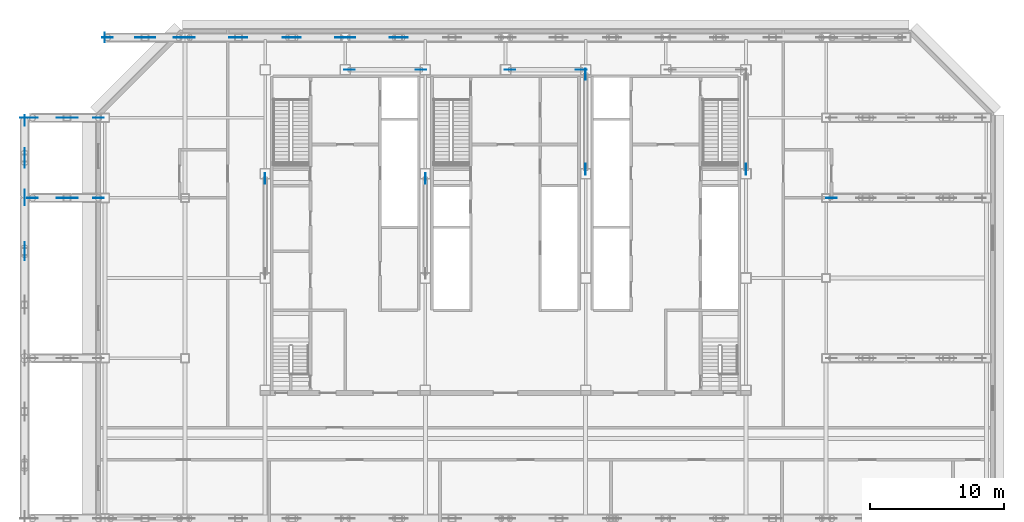
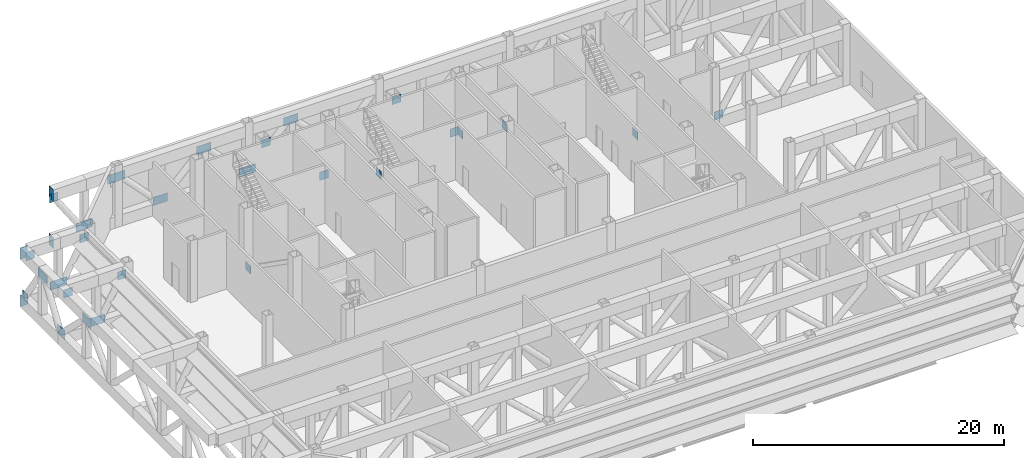
# One storey, part 13 of 17: 31 discrete accessories.
"""IFC4 building model written with IfcOpenShell, lengths in metres."""

from ifc_helpers import new_model, si_unit, direction, frame, origin, origin_2d, place, context, subcontext, project, spatial, rectangle, extrude, material, layer, layer_set, type_object, element, save


model = new_model("IFC4")

# Units and contexts
model_context = context("Model", 3, precision=1e-05, world=origin(), true_north=direction((0.0, 1.0)))
body_context = subcontext(model_context, "Body", "Model", "MODEL_VIEW")
ifc_project = project(units=[si_unit("LENGTHUNIT", "METRE"), si_unit("AREAUNIT", "SQUARE_METRE"), si_unit("VOLUMEUNIT", "CUBIC_METRE"), si_unit("PLANEANGLEUNIT", "RADIAN"), si_unit("MASSUNIT", "GRAM", prefix="KILO")], contexts=[model_context])

# Site, building, storey
site_placement = place(None, origin())
site = spatial("IfcSite", under=ifc_project, at=site_placement, CompositionType="ELEMENT")
building_placement = place(site_placement, origin())
building = spatial("IfcBuilding", under=site, at=building_placement, Name="Sorahane Residences", CompositionType="ELEMENT")
storey_placement = place(building_placement, frame((0.0, 0.0, 186.0)))
storey = spatial("IfcBuildingStorey", under=building, at=storey_placement, Name="L43", CompositionType="ELEMENT", Elevation=186.0)

# Discrete accessories
ifc_material_1 = material(Name="Steel Q420GJ", Category="steel")
ifc_layer_1 = layer(ifc_material_1, 0.02001953125)
ifc_layer_set_1 = layer_set([ifc_layer_1], Name="End plate Steel Q420GJ 700x1100x20")
discrete_accessory_type_1 = type_object("IfcDiscreteAccessoryType", Name="End plate Steel Q420GJ 700x1100x20", PredefinedType="USERDEFINED", material=ifc_layer_set_1)
for number, where, z_axis, x_axis, name in (
    (1, (-6.010009765625, 48.0, 0.0), (0.0, 0.0, 1.0), (1.0, 0.0, 0.0), "End plate L43"),
    (2, (-6.010009765625, 48.0, 4.599853515625), (0.0, 0.0, 1.0), (1.0, 0.0, 0.0), "End plate L43"),
    (3, (-12.0, 42.010009765625, 0.0), (0.0, 0.0, 1.0), (0.0, 1.0, 0.0), "End plate L43"),
    (4, (-12.0, 42.010009765625, 4.599853515625), (0.0, 0.0, 1.0), (0.0, 1.0, 0.0), "End plate L43"),
):
    element("IfcDiscreteAccessory", number, at=place(storey_placement, frame(where, z_axis=z_axis, x_axis=x_axis)), inside=storey, type_object=discrete_accessory_type_1, Name=name, ObjectType="END PLATE", PredefinedType="USERDEFINED", context=body_context, shape_type="SweptSolid", body=[
        extrude(rectangle(XDim=0.02001953125, YDim=0.699951171875, at=origin_2d()), origin(), (0.0, 0.0, 1.0), 1.10009765625),
    ])
ifc_material_2 = material(Name="Steel Q355B", Category="steel")
ifc_layer_2 = layer(ifc_material_2, 0.02490234375)
ifc_layer_set_2 = layer_set([ifc_layer_2], Name="Node plate Steel Q355B 25")
discrete_accessory_type_2 = type_object("IfcDiscreteAccessoryType", Name="Node plate Steel Q355B 25", PredefinedType="BRACKET", material=ifc_layer_set_2)
for number, where, z_axis, x_axis, name in (
    (5, (6.0, 37.460205078125, -0.26708984375), (0.0, 0.0, 1.0), (0.0, 1.0, 0.0), "Node plate L43 br"),
    (6, (18.0, 37.460205078125, 4.71728515625), (0.0, 0.0, 1.0), (0.0, 1.0, 0.0), "Node plate L43 br"),
    (7, (30.0, 45.26025390625, -0.26708984375), (0.0, 0.0, 1.0), (0.0, 1.0, 0.0), "Node plate L43 br"),
    (8, (30.0, 38.139892578125, 4.71728515625), (0.0, 0.0, 1.0), (0.0, 1.0, 0.0), "Node plate L43 br"),
    (9, (42.0, 38.139892578125, -0.26708984375), (0.0, 0.0, 1.0), (0.0, 1.0, 0.0), "Node plate L43 br"),
    (10, (17.672119140625, 45.60009765625, -0.29296875), (0.0, 0.0, 1.0), (1.0, 0.0, 0.0), "Node plate L43 br"),
    (11, (29.672119140625, 45.60009765625, -0.29296875), (0.0, 0.0, 1.0), (1.0, 0.0, 0.0), "Node plate L43 br"),
    (12, (12.327880859375, 45.60009765625, 4.74267578125), (0.0, 0.0, 1.0), (1.0, 0.0, 0.0), "Node plate L43 br"),
    (13, (24.327880859375, 45.60009765625, 4.74267578125), (0.0, 0.0, 1.0), (1.0, 0.0, 0.0), "Node plate L43 br"),
):
    element("IfcDiscreteAccessory", number, at=place(storey_placement, frame(where, z_axis=z_axis, x_axis=x_axis)), inside=storey, type_object=discrete_accessory_type_2, Name=name, PredefinedType="BRACKET", context=body_context, shape_type="SweptSolid", body=[
        extrude(rectangle(XDim=0.800048828125, YDim=0.02490234375, at=origin_2d()), origin(), (0.0, 0.0, 1.0), 0.800048828125),
    ])
ifc_material_3 = material(Name="Steel Q420GJ", Category="steel")
ifc_layer_3 = layer(ifc_material_3, 0.02490234375)
ifc_layer_set_3 = layer_set([ifc_layer_3], Name="Node plate Steel Q420GJ 25")
discrete_accessory_type_3 = type_object("IfcDiscreteAccessoryType", Name="Node plate Steel Q420GJ 25", PredefinedType="BRACKET", material=ifc_layer_set_3)
discrete_accessory_1_placement = place(storey_placement, frame((-12.0, 36.02880859375, 0.618408203125), z_axis=(0.0, 0.0, 1.0), x_axis=(0.0, 1.0, 0.0)))
element("IfcDiscreteAccessory", 14, at=discrete_accessory_1_placement, inside=storey, type_object=discrete_accessory_type_3, Name="Node plate L43 tr", PredefinedType="BRACKET", context=body_context, shape_type="SweptSolid", body=[
    extrude(rectangle(XDim=1.1572265625, YDim=0.02490234375, at=origin_2d()), origin(), (0.0, 0.0, 1.0), 0.890625),
])
discrete_accessory_2_placement = place(storey_placement, frame((-12.0, 41.792724609375, 0.61865234375), z_axis=(0.0, 0.0, 1.0), x_axis=(0.0, 1.0, 0.0)))
element("IfcDiscreteAccessory", 15, at=discrete_accessory_2_placement, inside=storey, type_object=discrete_accessory_type_3, Name="Node plate L43 tr", PredefinedType="BRACKET", context=body_context, shape_type="SweptSolid", body=[
    extrude(rectangle(XDim=0.800048828125, YDim=0.02490234375, at=origin_2d()), origin(), (0.0, 0.0, 1.0), 0.800048828125),
])
discrete_accessory_3_placement = place(storey_placement, frame((-12.0, 32.0, 4.19091796875), z_axis=(0.0, 0.0, 1.0), x_axis=(0.0, 1.0, 0.0)))
element("IfcDiscreteAccessory", 16, at=discrete_accessory_3_placement, inside=storey, type_object=discrete_accessory_type_3, Name="Node plate L43 tr", PredefinedType="BRACKET", context=body_context, shape_type="SweptSolid", body=[
    extrude(rectangle(XDim=1.35009765625, YDim=0.02490234375, at=origin_2d()), origin(), (0.0, 0.0, 1.0), 0.8154296875),
])
discrete_accessory_4_placement = place(storey_placement, frame((-12.0, 39.0, 4.28125), z_axis=(0.0, 0.0, 1.0), x_axis=(0.0, 1.0, 0.0)))
element("IfcDiscreteAccessory", 17, at=discrete_accessory_4_placement, inside=storey, type_object=discrete_accessory_type_3, Name="Node plate L43 tr", PredefinedType="BRACKET", context=body_context, shape_type="SweptSolid", body=[
    extrude(rectangle(XDim=1.464599609375, YDim=0.02490234375, at=origin_2d()), origin(), (0.0, 0.0, 1.0), 0.800048828125),
])
discrete_accessory_5_placement = place(storey_placement, frame((-8.81005859375, 36.0, 0.6220703125), z_axis=(0.0, 0.0, 1.0), x_axis=(1.0, 0.0, 0.0)))
element("IfcDiscreteAccessory", 18, at=discrete_accessory_5_placement, inside=storey, type_object=discrete_accessory_type_3, Name="Node plate L43 tr", PredefinedType="BRACKET", context=body_context, shape_type="SweptSolid", body=[
    extrude(rectangle(XDim=1.548583984375, YDim=0.02490234375, at=origin_2d()), origin(), (0.0, 0.0, 1.0), 0.8046875),
])
for number, where, z_axis, x_axis, name in (
    (19, (48.409423828125, 36.0, 0.6220703125), (0.0, 0.0, 1.0), (1.0, 0.0, 0.0), "Node plate L43 tr"),
    (20, (-11.41552734375, 36.0, 4.27783203125), (0.0, 0.0, 1.0), (1.0, 0.0, 0.0), "Node plate L43 tr"),
    (21, (-6.464111328125, 36.0, 4.27294921875), (0.0, 0.0, 1.0), (1.0, 0.0, 0.0), "Node plate L43 tr"),
):
    element("IfcDiscreteAccessory", number, at=place(storey_placement, frame(where, z_axis=z_axis, x_axis=x_axis)), inside=storey, type_object=discrete_accessory_type_3, Name=name, PredefinedType="BRACKET", context=body_context, shape_type="SweptSolid", body=[
        extrude(rectangle(XDim=0.800048828125, YDim=0.02490234375, at=origin_2d()), origin(), (0.0, 0.0, 1.0), 0.800048828125),
    ])
discrete_accessory_6_placement = place(storey_placement, frame((-8.81005859375, 42.0, 0.6220703125), z_axis=(0.0, 0.0, 1.0), x_axis=(1.0, 0.0, 0.0)))
element("IfcDiscreteAccessory", 22, at=discrete_accessory_6_placement, inside=storey, type_object=discrete_accessory_type_3, Name="Node plate L43 tr", PredefinedType="BRACKET", context=body_context, shape_type="SweptSolid", body=[
    extrude(rectangle(XDim=1.548583984375, YDim=0.02490234375, at=origin_2d()), origin(), (0.0, 0.0, 1.0), 0.8046875),
])
for number, where, z_axis, x_axis, name in (
    (23, (-11.41552734375, 42.0, 4.27783203125), (0.0, 0.0, 1.0), (1.0, 0.0, 0.0), "Node plate L43 tr"),
    (24, (-6.464111328125, 42.0, 4.27294921875), (0.0, 0.0, 1.0), (1.0, 0.0, 0.0), "Node plate L43 tr"),
):
    element("IfcDiscreteAccessory", number, at=place(storey_placement, frame(where, z_axis=z_axis, x_axis=x_axis)), inside=storey, type_object=discrete_accessory_type_3, Name=name, PredefinedType="BRACKET", context=body_context, shape_type="SweptSolid", body=[
        extrude(rectangle(XDim=0.800048828125, YDim=0.02490234375, at=origin_2d()), origin(), (0.0, 0.0, 1.0), 0.800048828125),
    ])
discrete_accessory_7_placement = place(storey_placement, frame((-2.984619140625, 48.0, 0.61865234375), z_axis=(0.0, 0.0, 1.0), x_axis=(1.0, 0.0, 0.0)))
element("IfcDiscreteAccessory", 25, at=discrete_accessory_7_placement, inside=storey, type_object=discrete_accessory_type_3, Name="Node plate L43 tr", PredefinedType="BRACKET", context=body_context, shape_type="SweptSolid", body=[
    extrude(rectangle(XDim=1.49560546875, YDim=0.02490234375, at=origin_2d()), origin(), (0.0, 0.0, 1.0), 0.80419921875),
])
discrete_accessory_8_placement = place(storey_placement, frame((4.0, 48.0, 0.68359375), z_axis=(0.0, 0.0, 1.0), x_axis=(1.0, 0.0, 0.0)))
element("IfcDiscreteAccessory", 26, at=discrete_accessory_8_placement, inside=storey, type_object=discrete_accessory_type_3, Name="Node plate L43 tr", PredefinedType="BRACKET", context=body_context, shape_type="SweptSolid", body=[
    extrude(rectangle(XDim=1.35009765625, YDim=0.02490234375, at=origin_2d()), origin(), (0.0, 0.0, 1.0), 0.81005859375),
])
discrete_accessory_9_placement = place(storey_placement, frame((12.0, 48.0, 0.68359375), z_axis=(0.0, 0.0, 1.0), x_axis=(1.0, 0.0, 0.0)))
element("IfcDiscreteAccessory", 27, at=discrete_accessory_9_placement, inside=storey, type_object=discrete_accessory_type_3, Name="Node plate L43 tr", PredefinedType="BRACKET", context=body_context, shape_type="SweptSolid", body=[
    extrude(rectangle(XDim=1.5, YDim=0.02490234375, at=origin_2d()), origin(), (0.0, 0.0, 1.0), 0.800048828125),
])
discrete_accessory_10_placement = place(storey_placement, frame((-5.792724609375, 48.0, 4.28125), z_axis=(0.0, 0.0, 1.0), x_axis=(1.0, 0.0, 0.0)))
element("IfcDiscreteAccessory", 28, at=discrete_accessory_10_placement, inside=storey, type_object=discrete_accessory_type_3, Name="Node plate L43 tr", PredefinedType="BRACKET", context=body_context, shape_type="SweptSolid", body=[
    extrude(rectangle(XDim=0.800048828125, YDim=0.02490234375, at=origin_2d()), origin(), (0.0, 0.0, 1.0), 0.800048828125),
])
discrete_accessory_11_placement = place(storey_placement, frame((-0.044189453125, 48.0, 4.21630859375), z_axis=(0.0, 0.0, 1.0), x_axis=(1.0, 0.0, 0.0)))
element("IfcDiscreteAccessory", 29, at=discrete_accessory_11_placement, inside=storey, type_object=discrete_accessory_type_3, Name="Node plate L43 tr", PredefinedType="BRACKET", context=body_context, shape_type="SweptSolid", body=[
    extrude(rectangle(XDim=1.588134765625, YDim=0.02490234375, at=origin_2d()), origin(), (0.0, 0.0, 1.0), 0.86083984375),
])
for number, where, z_axis, x_axis, name in (
    (30, (8.0, 48.0, 4.206298828125), (0.0, 0.0, 1.0), (1.0, 0.0, 0.0), "Node plate L43 tr"),
    (31, (16.0, 48.0, 4.206298828125), (0.0, 0.0, 1.0), (1.0, 0.0, 0.0), "Node plate L43 tr"),
):
    element("IfcDiscreteAccessory", number, at=place(storey_placement, frame(where, z_axis=z_axis, x_axis=x_axis)), inside=storey, type_object=discrete_accessory_type_3, Name=name, PredefinedType="BRACKET", context=body_context, shape_type="SweptSolid", body=[
        extrude(rectangle(XDim=1.35009765625, YDim=0.02490234375, at=origin_2d()), origin(), (0.0, 0.0, 1.0), 0.81005859375),
    ])

save(model, "model.ifc")
